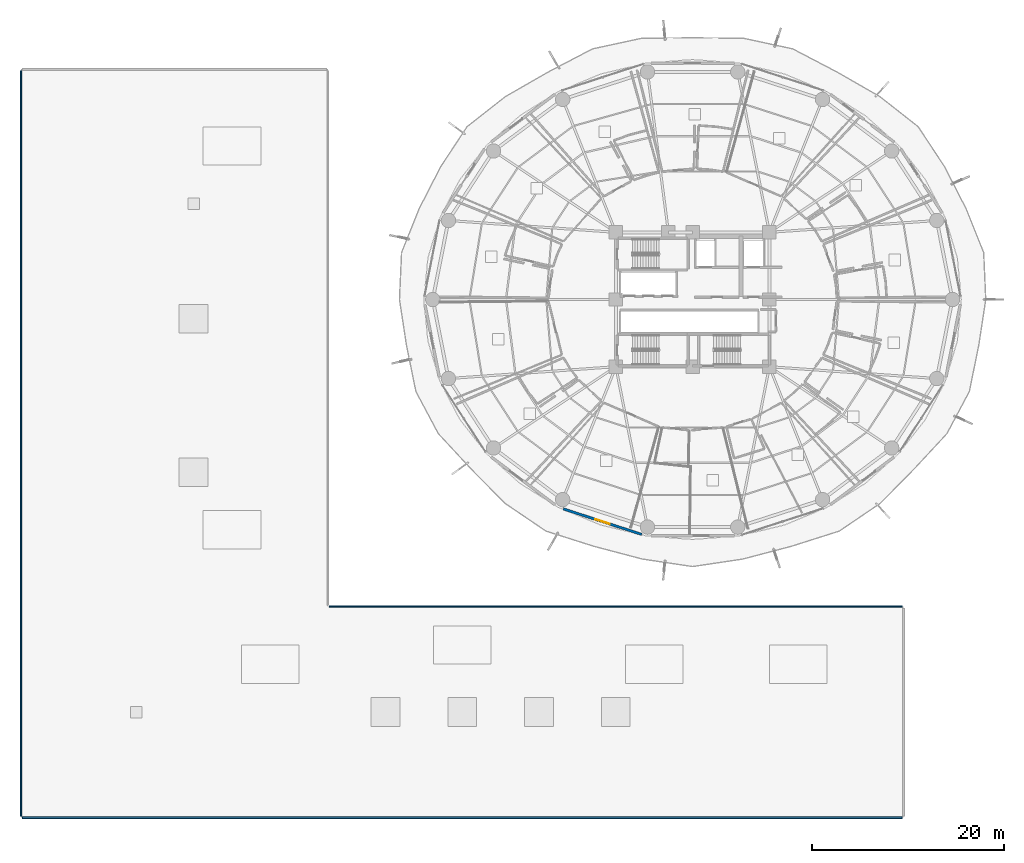
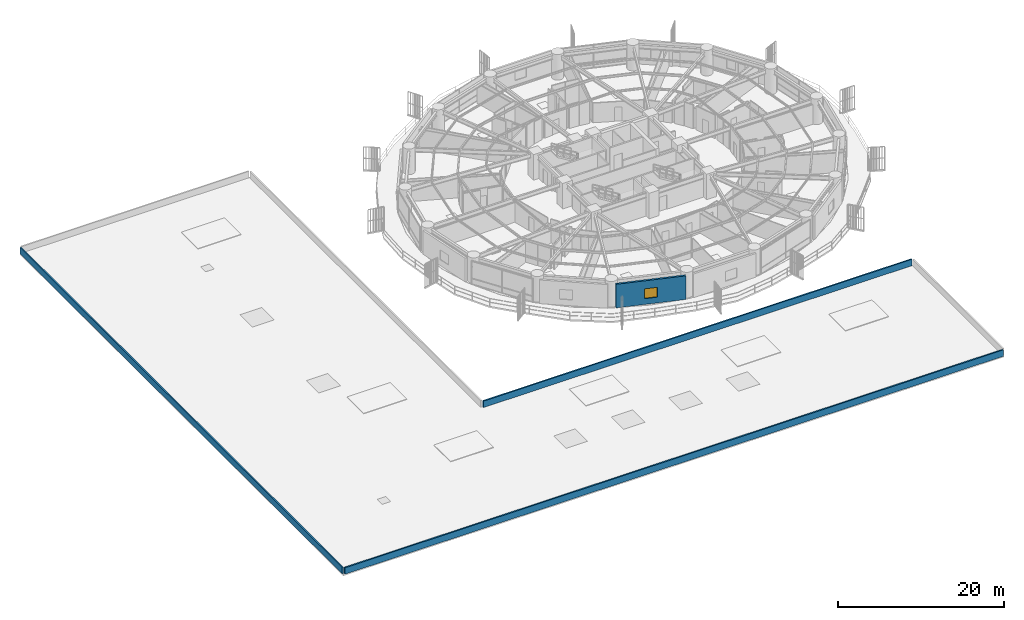
# One storey, part 23 of 35: 4 walls, 1 window, 1 opening.
"""IFC4 building model written with IfcOpenShell, lengths in metres."""

from ifc_helpers import new_model, si_unit, direction, frame, frame_2d, origin, place, context, subcontext, project, spatial, rectangle, extrude, material, layer, layer_set, type_object, element, fill, save


model = new_model("IFC4")

# Units and contexts
model_context = context("Model", 3, precision=1e-05, world=origin(), true_north=direction((0.0, 1.0)))
body_context = subcontext(model_context, "Body", "Model", "MODEL_VIEW")
ifc_project = project(units=[si_unit("LENGTHUNIT", "METRE"), si_unit("AREAUNIT", "SQUARE_METRE"), si_unit("VOLUMEUNIT", "CUBIC_METRE"), si_unit("PLANEANGLEUNIT", "RADIAN"), si_unit("MASSUNIT", "GRAM", prefix="KILO")], contexts=[model_context])

# Site, building, storey
site_placement = place(None, origin())
site = spatial("IfcSite", under=ifc_project, at=site_placement, CompositionType="ELEMENT")
building_placement = place(site_placement, origin())
building = spatial("IfcBuilding", under=site, at=building_placement, Name="Kelanora Arch Commons", CompositionType="ELEMENT")
storey_placement = place(building_placement, frame((0.0, 0.0, 22.5)))
storey = spatial("IfcBuildingStorey", under=building, at=storey_placement, Name="L05", CompositionType="ELEMENT", Elevation=22.5)

# Wall, opening, window
ifc_material_1 = material(Name="Precast concrete C40/50 with terracotta rainscreen", Category="masonry")
ifc_layer_1 = layer(ifc_material_1, 0.260009765625)
ifc_layer_set_1 = layer_set([ifc_layer_1], Name="Precast concrete C40/50 with terracotta rainscreen")
wall_type_1 = type_object("IfcWallType", Name="W-EXT-TC", PredefinedType="SOLIDWALL", material=ifc_layer_set_1)
wall_1_placement = place(storey_placement, frame((60.5263671875, 36.178466796875, 0.0), z_axis=(0.0, 0.0, 1.0), x_axis=(0.951039914291, -0.309068085421, 0.0)))
wall_1 = element("IfcWall", 1, at=wall_1_placement, inside=storey, type_object=wall_type_1, Name="Terracotta Exterior Wall L05-B12", PredefinedType="SOLIDWALL", context=body_context, shape_type="SweptSolid", body=[
    extrude(rectangle(XDim=8.593505859375, YDim=0.260009765625, at=frame_2d((4.296875, 0.0))), origin(), (0.0, 0.0, 1.0), 3.47509765625),
])
opening_placement = place(wall_1_placement, frame((3.4970703125, 0.0, 0.85009765625)))
opening = element("IfcOpeningElement", 2, at=opening_placement, cuts=wall_1, Name="Opening WN-01", PredefinedType="OPENING", context=body_context, shape_type="SweptSolid", body=[
    extrude(rectangle(XDim=1.60009765625, YDim=1.449951171875, at=frame_2d((0.800048828125, 0.72509765625))), frame((0.0, 0.14013671875, 0.0), z_axis=(0.0, -1.0, 0.0), x_axis=(1.0, 0.0, 0.0)), (0.0, 0.0, 1.0), 0.280029296875),
])
ifc_material_2 = material(Name="Terracotta-anodised aluminium frame with operable low-E glazing", Category="masonry")
window_type = type_object("IfcWindowType", Name="WIN-CL-18", PartitioningType="DOUBLE_PANEL_VERTICAL", PredefinedType="WINDOW", material=ifc_material_2)
window_placement = place(opening_placement, origin())
window = element("IfcWindow", 3, at=window_placement, inside=storey, type_object=window_type, Name="Co-Living Operable Window L05-B12", OverallHeight=1.449951171875, OverallWidth=1.60009765625, PartitioningType="SINGLE_PANEL", PredefinedType="WINDOW", context=body_context, shape_type="SweptSolid", body=[
    extrude(rectangle(XDim=1.60009765625, YDim=1.449951171875, at=frame_2d((0.800048828125, 0.72509765625))), frame((0.0, 0.030029296875, 0.0), z_axis=(0.0, -1.0, 0.0), x_axis=(1.0, 0.0, 0.0)), (0.0, 0.0, 1.0), 0.06005859375),
])
fill(opening, window)

# Walls
ifc_material_3 = material(Name="Precast concrete C40/50 parapet", Category="concrete")
ifc_layer_2 = layer(ifc_material_3, 0.18994140625)
ifc_layer_set_2 = layer_set([ifc_layer_2], Name="Precast concrete C40/50 parapet")
wall_type_2 = type_object("IfcWallType", Name="W-PARAPET", PredefinedType="PARAPET", material=ifc_layer_set_2)
wall_2_placement = place(storey_placement, frame((4.14990234375, 4.0, 0.0), z_axis=(0.0, 0.0, 1.0), x_axis=(1.0, 0.0, 0.0)))
element("IfcWall", 4, at=wall_2_placement, inside=storey, type_object=wall_type_2, Name="Market Hall Roof Parapet 1", PredefinedType="PARAPET", context=body_context, shape_type="SweptSolid", body=[
    extrude(rectangle(XDim=91.7001953125, YDim=0.18994140625, at=frame_2d((45.85009765625, 0.0))), origin(), (0.0, 0.0, 1.0), 0.949951171875),
])
wall_3_placement = place(storey_placement, frame((95.85009765625, 26.0, 0.0), z_axis=(0.0, 0.0, 1.0), x_axis=(-1.0, 0.0, 0.0)))
element("IfcWall", 5, at=wall_3_placement, inside=storey, type_object=wall_type_2, Name="Market Hall Roof Parapet 3", PredefinedType="PARAPET", context=body_context, shape_type="SweptSolid", body=[
    extrude(rectangle(XDim=59.7001953125, YDim=0.18994140625, at=frame_2d((29.85009765625, 0.0))), origin(), (0.0, 0.0, 1.0), 0.949951171875),
])
wall_4_placement = place(storey_placement, frame((4.0, 81.85009765625, 0.0), z_axis=(0.0, 0.0, 1.0), x_axis=(0.0, -1.0, 0.0)))
element("IfcWall", 6, at=wall_4_placement, inside=storey, type_object=wall_type_2, Name="Market Hall Roof Parapet 6", PredefinedType="PARAPET", context=body_context, shape_type="SweptSolid", body=[
    extrude(rectangle(XDim=77.7001953125, YDim=0.18994140625, at=frame_2d((38.85009765625, 0.0))), origin(), (0.0, 0.0, 1.0), 0.949951171875),
])

save(model, "model.ifc")
